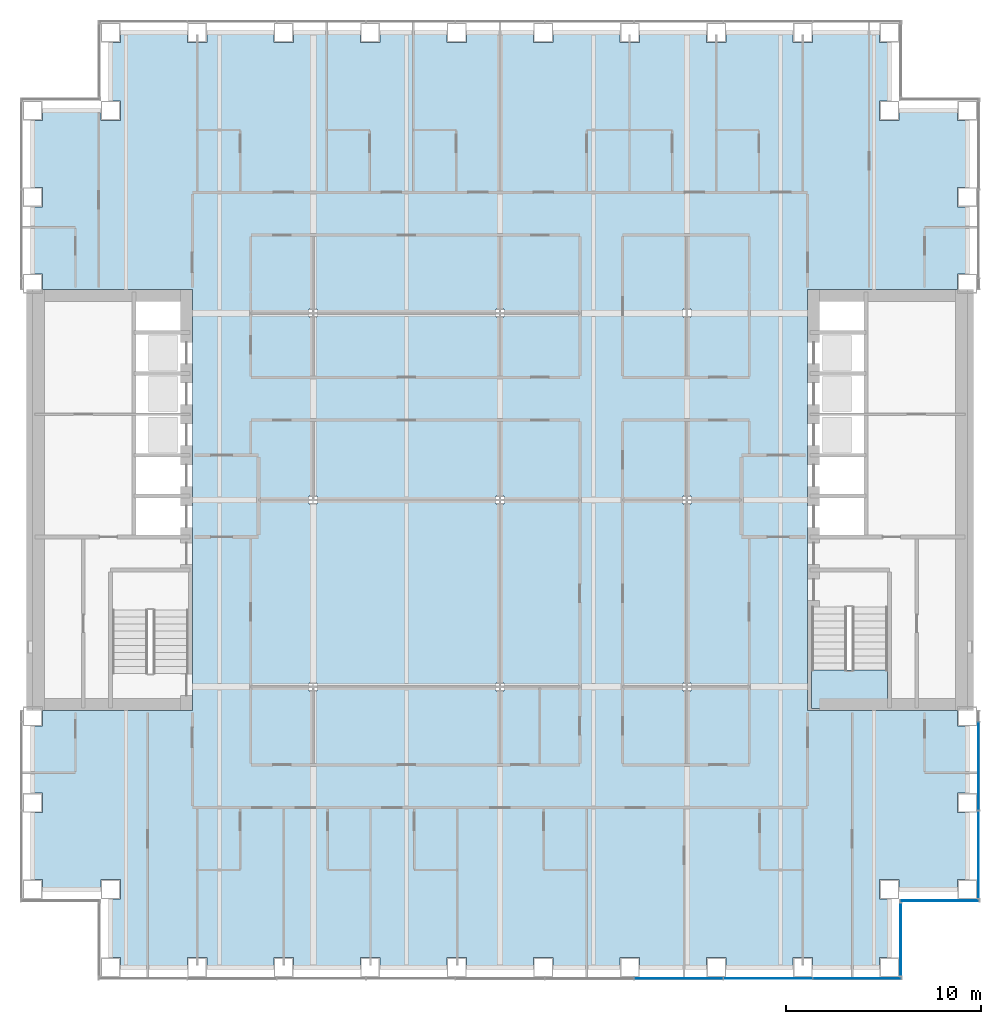
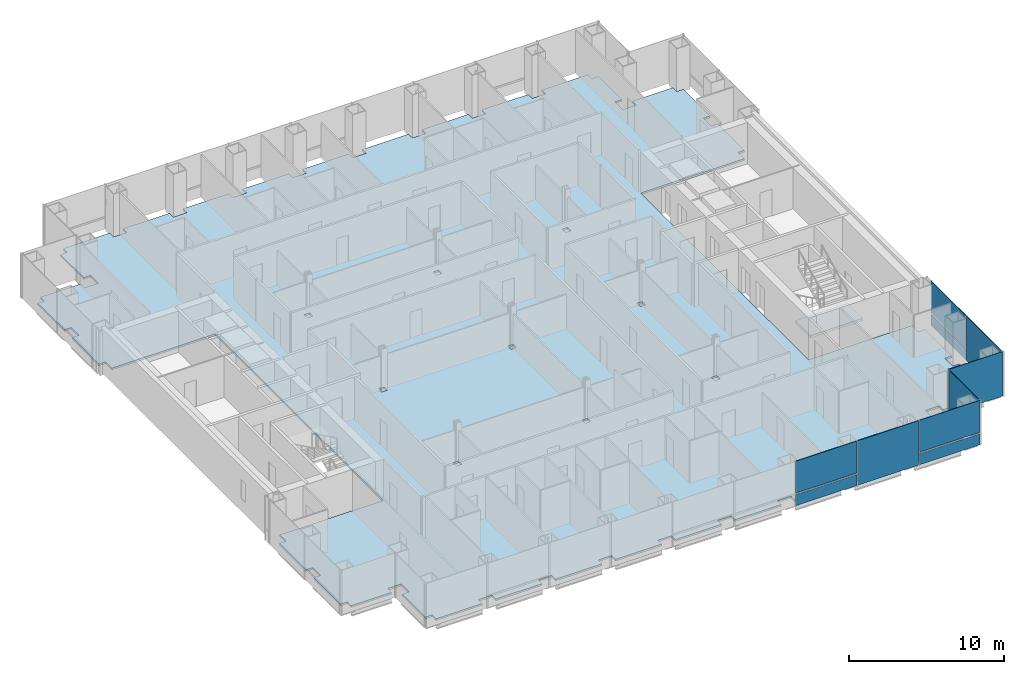
# One storey, part 13 of 23: 10 plates, 2 slabs, 5 elements without a shape of their own.
"""IFC4 building model written with IfcOpenShell, lengths in metres."""

from ifc_helpers import new_model, si_unit, direction, frame, origin, origin_2d, place, context, subcontext, project, spatial, polyline, rectangle, outline, extrude, material, layer, layer_set, type_object, element, aggregate, save


model = new_model("IFC4")

# Units and contexts
model_context = context("Model", 3, precision=1e-05, world=origin(), true_north=direction((0.0, 1.0)))
body_context = subcontext(model_context, "Body", "Model", "MODEL_VIEW")
ifc_project = project(units=[si_unit("LENGTHUNIT", "METRE"), si_unit("AREAUNIT", "SQUARE_METRE"), si_unit("VOLUMEUNIT", "CUBIC_METRE"), si_unit("PLANEANGLEUNIT", "RADIAN"), si_unit("MASSUNIT", "GRAM", prefix="KILO")], contexts=[model_context])

# Site, building, storey
site_placement = place(None, origin())
site = spatial("IfcSite", under=ifc_project, at=site_placement, CompositionType="ELEMENT")
building_placement = place(site_placement, origin())
building = spatial("IfcBuilding", under=site, at=building_placement, Name="Cobrizo Arcos Hotel Tower", CompositionType="ELEMENT")
storey_placement = place(building_placement, frame((0.0, 0.0, 49.5)))
storey = spatial("IfcBuildingStorey", under=building, at=storey_placement, Name="L10", CompositionType="ELEMENT", Elevation=49.5)

# Curtain wall, plates
ifc_material_1 = material(Name="Aluminium 6063-T6 anodised bronze", Category="aluminium")
curtain_wall_type = type_object("IfcCurtainWallType", Name="CW-A guest facade", PredefinedType="NOTDEFINED", material=ifc_material_1)
curtain_wall_1_placement = place(storey_placement, origin())
curtain_wall_1 = element("IfcCurtainWall", 1, at=curtain_wall_1_placement, inside=storey, type_object=curtain_wall_type, Name="CW-A L10 S face", PredefinedType="NOTDEFINED")
ifc_material_2 = material(Name="Glass clear laminated low-e", Category="glass")
ifc_layer_1 = layer(ifc_material_2, 0.0400390625)
ifc_layer_set_1 = layer_set([ifc_layer_1], Name="CW-A glass panel")
plate_type_1 = type_object("IfcPlateType", Name="CW-A glass panel", PredefinedType="CURTAIN_PANEL", material=ifc_layer_set_1)
plate_1_placement = place(storey_placement, frame((9.177734375, -24.574951171875, 0.990234375), z_axis=(0.0, 0.0, 1.0), x_axis=(1.0, 0.0, 0.0)))
plate_1 = element("IfcPlate", 2, at=plate_1_placement, type_object=plate_type_1, Name="CW-A glass panel 481", PredefinedType="CURTAIN_PANEL", context=body_context, shape_type="SweptSolid", body=[
    extrude(rectangle(XDim=4.52880859375, YDim=0.0400390625, at=origin_2d()), origin(), (0.0, 0.0, 1.0), 2.510009765625),
])
plate_2_placement = place(storey_placement, frame((18.340576171875, -24.574951171875, 0.990234375), z_axis=(0.0, 0.0, 1.0), x_axis=(1.0, 0.0, 0.0)))
plate_2 = element("IfcPlate", 3, at=plate_2_placement, type_object=plate_type_1, Name="CW-A glass panel 483", PredefinedType="CURTAIN_PANEL", context=body_context, shape_type="SweptSolid", body=[
    extrude(rectangle(XDim=4.498779296875, YDim=0.0400390625, at=origin_2d()), origin(), (0.0, 0.0, 1.0), 2.510009765625),
])

# Curtain wall, plate
curtain_wall_2_placement = place(storey_placement, origin())
curtain_wall_2 = element("IfcCurtainWall", 4, at=curtain_wall_2_placement, inside=storey, type_object=curtain_wall_type, Name="CW-A L10 E face", PredefinedType="NOTDEFINED")
plate_3_placement = place(storey_placement, frame((24.574951171875, -13.666748046875, 0.990234375), z_axis=(0.0, 0.0, 1.0), x_axis=(0.0, 1.0, 0.0)))
plate_3 = element("IfcPlate", 5, at=plate_3_placement, type_object=plate_type_1, Name="CW-A glass panel 487", PredefinedType="CURTAIN_PANEL", context=body_context, shape_type="SweptSolid", body=[
    extrude(rectangle(XDim=4.49560546875, YDim=0.0400390625, at=origin_2d()), origin(), (0.0, 0.0, 1.0), 2.510009765625),
])

# Plate
ifc_material_3 = material(Name="Aluminium composite panel pale metal", Category="aluminium")
ifc_layer_2 = layer(ifc_material_3, 0.0400390625)
ifc_layer_set_2 = layer_set([ifc_layer_2], Name="CW-A spandrel panel")
plate_type_2 = type_object("IfcPlateType", Name="CW-A spandrel panel", PredefinedType="CURTAIN_PANEL", material=ifc_layer_set_2)
plate_4_placement = place(storey_placement, frame((9.177734375, -24.574951171875, 0.0), z_axis=(0.0, 0.0, 1.0), x_axis=(1.0, 0.0, 0.0)))
plate_4 = element("IfcPlate", 6, at=plate_4_placement, type_object=plate_type_2, Name="CW-A spandrel panel 481", PredefinedType="CURTAIN_PANEL", context=body_context, shape_type="SweptSolid", body=[
    extrude(rectangle(XDim=4.52880859375, YDim=0.0400390625, at=origin_2d()), origin(), (0.0, 0.0, 1.0), 0.8701171875),
])

plate_5_placement = place(storey_placement, frame((13.7666015625, -24.574951171875, 0.0), z_axis=(0.0, 0.0, 1.0), x_axis=(1.0, 0.0, 0.0)))
plate_5 = element("IfcPlate", 7, at=plate_5_placement, type_object=plate_type_2, Name="CW-A spandrel panel 482", PredefinedType="CURTAIN_PANEL", context=body_context, shape_type="SweptSolid", body=[
    extrude(rectangle(XDim=4.52880859375, YDim=0.0400390625, at=origin_2d()), origin(), (0.0, 0.0, 1.0), 3.5),
])

plate_6_placement = place(storey_placement, frame((18.340576171875, -24.574951171875, 0.0), z_axis=(0.0, 0.0, 1.0), x_axis=(1.0, 0.0, 0.0)))
plate_6 = element("IfcPlate", 8, at=plate_6_placement, type_object=plate_type_2, Name="CW-A spandrel panel 483", PredefinedType="CURTAIN_PANEL", context=body_context, shape_type="SweptSolid", body=[
    extrude(rectangle(XDim=4.498779296875, YDim=0.0400390625, at=origin_2d()), origin(), (0.0, 0.0, 1.0), 0.8701171875),
])

aggregate(curtain_wall_1, [plate_4, plate_1, plate_5, plate_6, plate_2])

# Curtain wall, plate
curtain_wall_3_placement = place(storey_placement, origin())
curtain_wall_3 = element("IfcCurtainWall", 9, at=curtain_wall_3_placement, inside=storey, type_object=curtain_wall_type, Name="CW-A L10 E face", PredefinedType="NOTDEFINED")
plate_7_placement = place(storey_placement, frame((20.574951171875, -22.574951171875, 0.0), z_axis=(0.0, 0.0, 1.0), x_axis=(0.0, 1.0, 0.0)))
plate_7 = element("IfcPlate", 10, at=plate_7_placement, type_object=plate_type_2, Name="CW-A spandrel panel 484", PredefinedType="CURTAIN_PANEL", context=body_context, shape_type="SweptSolid", body=[
    extrude(rectangle(XDim=3.72998046875, YDim=0.0400390625, at=origin_2d()), origin(), (0.0, 0.0, 1.0), 3.5),
])
aggregate(curtain_wall_3, [plate_7])

curtain_wall_4_placement = place(storey_placement, origin())
curtain_wall_4 = element("IfcCurtainWall", 11, at=curtain_wall_4_placement, inside=storey, type_object=curtain_wall_type, Name="CW-A L10 S face", PredefinedType="NOTDEFINED")
plate_8_placement = place(storey_placement, frame((22.574951171875, -20.574951171875, 0.0), z_axis=(0.0, 0.0, 1.0), x_axis=(1.0, 0.0, 0.0)))
plate_8 = element("IfcPlate", 12, at=plate_8_placement, type_object=plate_type_2, Name="CW-A spandrel panel 485", PredefinedType="CURTAIN_PANEL", context=body_context, shape_type="SweptSolid", body=[
    extrude(rectangle(XDim=4.030029296875, YDim=0.0400390625, at=origin_2d()), origin(), (0.0, 0.0, 1.0), 3.5),
])
aggregate(curtain_wall_4, [plate_8])

# Plate
plate_9_placement = place(storey_placement, frame((24.574951171875, -18.207275390625, 0.0), z_axis=(0.0, 0.0, 1.0), x_axis=(0.0, 1.0, 0.0)))
plate_9 = element("IfcPlate", 13, at=plate_9_placement, type_object=plate_type_2, Name="CW-A spandrel panel 486", PredefinedType="CURTAIN_PANEL", context=body_context, shape_type="SweptSolid", body=[
    extrude(rectangle(XDim=4.465576171875, YDim=0.0400390625, at=origin_2d()), origin(), (0.0, 0.0, 1.0), 3.5),
])

plate_10_placement = place(storey_placement, frame((24.574951171875, -13.666748046875, 0.0), z_axis=(0.0, 0.0, 1.0), x_axis=(0.0, 1.0, 0.0)))
plate_10 = element("IfcPlate", 14, at=plate_10_placement, type_object=plate_type_2, Name="CW-A spandrel panel 487", PredefinedType="CURTAIN_PANEL", context=body_context, shape_type="SweptSolid", body=[
    extrude(rectangle(XDim=4.49560546875, YDim=0.0400390625, at=origin_2d()), origin(), (0.0, 0.0, 1.0), 0.8701171875),
])

aggregate(curtain_wall_2, [plate_9, plate_10, plate_3])

# Slab
ifc_material_4 = material(Name="Concrete f'c 35 MPa", Category="concrete")
ifc_layer_3 = layer(ifc_material_4, 0.14990234375)
ifc_layer_set_3 = layer_set([ifc_layer_3], Name="Composite floor slab 150 f'c 35")
slab_type_1 = type_object("IfcSlabType", Name="Composite floor slab 150 f'c 35", PredefinedType="FLOOR", material=ifc_layer_set_3)
slab_1_placement = place(storey_placement, frame((0.0, 0.0, -0.14990234375)))
element("IfcSlab", 15, at=slab_1_placement, inside=storey, type_object=slab_type_1, Name="Floor slab S5, L10, no. 01", PredefinedType="FLOOR", context=body_context, shape_type="SweptSolid", body=[
    extrude(outline(polyline([(-19.5, -24.0), (-19.5, -23.5), (-20.0, -23.5), (-20.0, -20.5), (-19.5, -20.5), (-19.5, -19.5), (-20.5, -19.5), (-20.5, -20.0), (-23.5, -20.0), (-23.5, -19.5), (-24.0, -19.5), (-24.0, -16.055908203125), (-23.5, -16.055908203125), (-23.5, -15.055908203125), (-24.0, -15.055908203125), (-24.0, -11.611083984375), (-23.5, -11.611083984375), (-23.5, -10.800048828125), (-15.800048828125, -10.800048828125), (-15.800048828125, 10.800048828125), (-23.5, 10.800048828125), (-23.5, 11.611083984375), (-24.0, 11.611083984375), (-24.0, 15.055908203125), (-23.5, 15.055908203125), (-23.5, 16.055908203125), (-24.0, 16.055908203125), (-24.0, 19.5), (-23.5, 19.5), (-23.5, 20.0), (-20.5, 20.0), (-20.5, 19.5), (-19.5, 19.5), (-19.5, 20.5), (-20.0, 20.5), (-20.0, 23.5), (-19.5, 23.5), (-19.5, 24.0), (-16.055908203125, 24.0), (-16.055908203125, 23.5), (-15.055908203125, 23.5), (-15.055908203125, 24.0), (-11.611083984375, 24.0), (-11.611083984375, 23.5), (-10.611083984375, 23.5), (-10.611083984375, 24.0), (-7.1669921875, 24.0), (-7.1669921875, 23.5), (-6.1669921875, 23.5), (-6.1669921875, 24.0), (-2.721923828125, 24.0), (-2.721923828125, 23.5), (-1.721923828125, 23.5), (-1.721923828125, 24.0), (1.721923828125, 24.0), (1.721923828125, 23.5), (2.721923828125, 23.5), (2.721923828125, 24.0), (6.1669921875, 24.0), (6.1669921875, 23.5), (7.1669921875, 23.5), (7.1669921875, 24.0), (10.611083984375, 24.0), (10.611083984375, 23.5), (11.611083984375, 23.5), (11.611083984375, 24.0), (15.055908203125, 24.0), (15.055908203125, 23.5), (16.055908203125, 23.5), (16.055908203125, 24.0), (19.5, 24.0), (19.5, 23.5), (20.0, 23.5), (20.0, 20.5), (19.5, 20.5), (19.5, 19.5), (20.5, 19.5), (20.5, 20.0), (23.5, 20.0), (23.5, 19.5), (24.0, 19.5), (24.0, 16.055908203125), (23.5, 16.055908203125), (23.5, 15.055908203125), (24.0, 15.055908203125), (24.0, 11.611083984375), (23.5, 11.611083984375), (23.5, 10.800048828125), (15.800048828125, 10.800048828125), (15.800048828125, -10.800048828125), (23.5, -10.800048828125), (23.5, -11.611083984375), (24.0, -11.611083984375), (24.0, -15.055908203125), (23.5, -15.055908203125), (23.5, -16.055908203125), (24.0, -16.055908203125), (24.0, -19.5), (23.5, -19.5), (23.5, -20.0), (20.5, -20.0), (20.5, -19.5), (19.5, -19.5), (19.5, -20.5), (20.0, -20.5), (20.0, -23.5), (19.5, -23.5), (19.5, -24.0), (16.055908203125, -24.0), (16.055908203125, -23.5), (15.055908203125, -23.5), (15.055908203125, -24.0), (11.611083984375, -24.0), (11.611083984375, -23.5), (10.611083984375, -23.5), (10.611083984375, -24.0), (7.1669921875, -24.0), (7.1669921875, -23.5), (6.1669921875, -23.5), (6.1669921875, -24.0), (2.721923828125, -24.0), (2.721923828125, -23.5), (1.721923828125, -23.5), (1.721923828125, -24.0), (-1.721923828125, -24.0), (-1.721923828125, -23.5), (-2.721923828125, -23.5), (-2.721923828125, -24.0), (-6.1669921875, -24.0), (-6.1669921875, -23.5), (-7.1669921875, -23.5), (-7.1669921875, -24.0), (-10.611083984375, -24.0), (-10.611083984375, -23.5), (-11.611083984375, -23.5), (-11.611083984375, -24.0), (-15.055908203125, -24.0), (-15.055908203125, -23.5), (-16.055908203125, -23.5), (-16.055908203125, -24.0), (-19.5, -24.0)]), holes=[polyline([(-9.3955078125, 9.3955078125), (-9.3955078125, 9.804443359375), (-9.804443359375, 9.804443359375), (-9.804443359375, 9.3955078125), (-9.3955078125, 9.3955078125)]), polyline([(-9.3955078125, -9.804443359375), (-9.3955078125, -9.3955078125), (-9.804443359375, -9.3955078125), (-9.804443359375, -9.804443359375), (-9.3955078125, -9.804443359375)]), polyline([(-0.204345703125, -9.804443359375), (0.204345703125, -9.804443359375), (0.204345703125, -9.3955078125), (-0.204345703125, -9.3955078125), (-0.204345703125, -9.804443359375)]), polyline([(9.3955078125, -9.804443359375), (9.804443359375, -9.804443359375), (9.804443359375, -9.3955078125), (9.3955078125, -9.3955078125), (9.3955078125, -9.804443359375)]), polyline([(-9.3955078125, -0.204345703125), (-9.3955078125, 0.204345703125), (-9.804443359375, 0.204345703125), (-9.804443359375, -0.204345703125), (-9.3955078125, -0.204345703125)]), polyline([(-0.204345703125, -0.204345703125), (0.204345703125, -0.204345703125), (0.204345703125, 0.204345703125), (-0.204345703125, 0.204345703125), (-0.204345703125, -0.204345703125)]), polyline([(9.3955078125, -0.204345703125), (9.804443359375, -0.204345703125), (9.804443359375, 0.204345703125), (9.3955078125, 0.204345703125), (9.3955078125, -0.204345703125)]), polyline([(0.204345703125, 9.3955078125), (0.204345703125, 9.804443359375), (-0.204345703125, 9.804443359375), (-0.204345703125, 9.3955078125), (0.204345703125, 9.3955078125)]), polyline([(9.3955078125, 9.3955078125), (9.804443359375, 9.3955078125), (9.804443359375, 9.804443359375), (9.3955078125, 9.804443359375), (9.3955078125, 9.3955078125)])]), origin(), (0.0, 0.0, 1.0), 0.14990234375),
])

# Stair, slab
ifc_material_5 = material(Name="Concrete f'c 40 MPa", Category="concrete")
stair_type = type_object("IfcStairType", Name="Exit stair", PredefinedType="HALF_TURN_STAIR", material=ifc_material_5)
stair_placement = place(storey_placement, origin())
stair = element("IfcStair", 16, at=stair_placement, inside=storey, type_object=stair_type, Name="L10 Exit stair ST-E", PredefinedType="HALF_TURN_STAIR")
ifc_layer_4 = layer(ifc_material_5, 0.199951171875)
ifc_layer_set_4 = layer_set([ifc_layer_4], Name="Stair landing")
slab_type_2 = type_object("IfcSlabType", Name="Stair landing", PredefinedType="LANDING", material=ifc_layer_set_4)
slab_2_placement = place(storey_placement, frame((0.0, 0.0, 1.550048828125)))
slab_2 = element("IfcSlab", 17, at=slab_2_placement, type_object=slab_type_2, Name="ST-E landing 1", PredefinedType="LANDING", context=body_context, shape_type="SweptSolid", body=[
    extrude(outline(polyline([(16.0, -8.739990234375), (16.0, -10.699951171875), (19.89990234375, -10.699951171875), (19.89990234375, -8.739990234375), (16.0, -8.739990234375)])), origin(), (0.0, 0.0, 1.0), 0.199951171875),
])
aggregate(stair, [slab_2])

save(model, "model.ifc")
